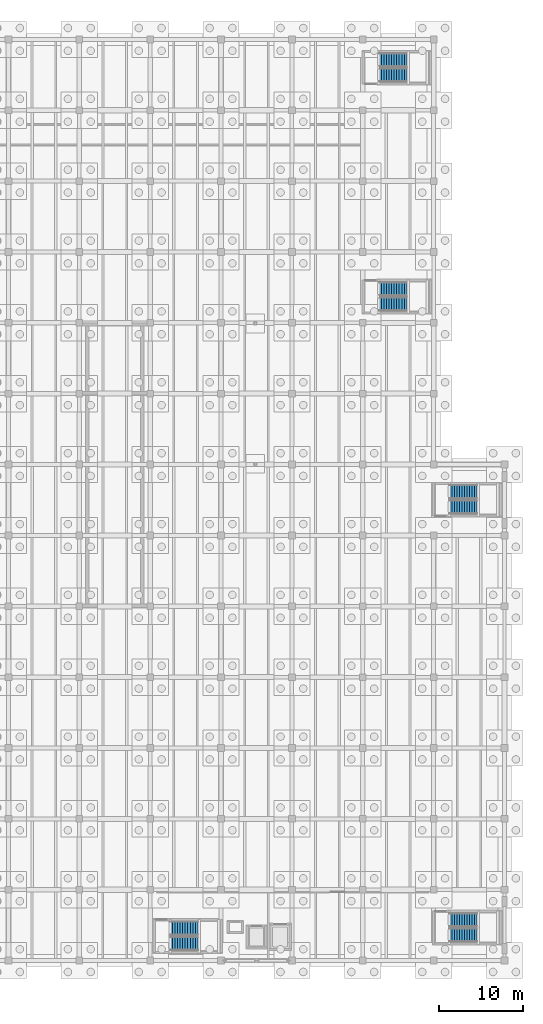
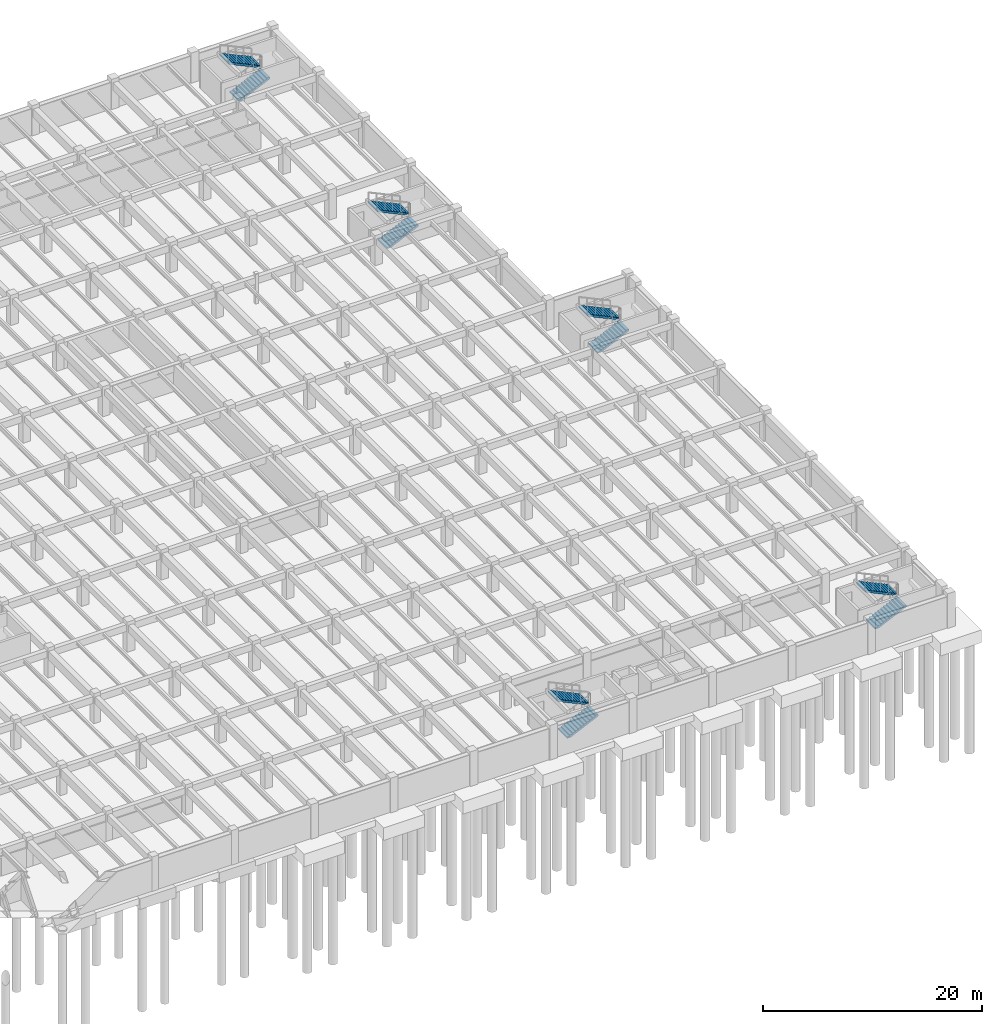
# One storey, part 54 of 70: 10 stair flights, 5 elements without a shape of their own.
"""IFC4 building model written with IfcOpenShell, lengths in metres."""

from ifc_helpers import new_model, si_unit, direction, frame, origin, place, context, subcontext, project, spatial, polyline, outline, extrude, material, type_object, element, aggregate, save


model = new_model("IFC4")

# Units and contexts
model_context = context("Model", 3, precision=1e-05, world=origin(), true_north=direction((0.0, 1.0)))
body_context = subcontext(model_context, "Body", "Model", "MODEL_VIEW")
ifc_project = project(units=[si_unit("LENGTHUNIT", "METRE"), si_unit("AREAUNIT", "SQUARE_METRE"), si_unit("VOLUMEUNIT", "CUBIC_METRE"), si_unit("PLANEANGLEUNIT", "RADIAN"), si_unit("MASSUNIT", "GRAM", prefix="KILO")], contexts=[model_context])

# Site, building, storey
site_placement = place(None, origin())
site = spatial("IfcSite", under=ifc_project, at=site_placement, CompositionType="ELEMENT")
building_placement = place(site_placement, origin())
building = spatial("IfcBuilding", under=site, at=building_placement, Name="Cumbredor Promenade Congress Hotel", CompositionType="ELEMENT")
storey_placement = place(building_placement, frame((0.0, 0.0, -7.56005859375)))
storey = spatial("IfcBuildingStorey", under=building, at=storey_placement, Name="B02", CompositionType="ELEMENT", Elevation=-7.56005859375)

# Stair, stair flights
ifc_material = material(Name="Concrete C40/50", Category="concrete")
stair_type = type_object("IfcStairType", Name="Protected Dog-Leg Exit Stair ST-T3 1650mm", PredefinedType="HALF_TURN_STAIR", material=ifc_material)
stair_1_placement = place(storey_placement, origin())
stair_1 = element("IfcStair", 1, at=stair_1_placement, inside=storey, type_object=stair_type, Name="B02 Protected Exit Stair ST-08", PredefinedType="HALF_TURN_STAIR")
stair_flight_type = type_object("IfcStairFlightType", Name="Concrete Stair Flight SFL-T3 1650mm", PredefinedType="STRAIGHT", material=ifc_material)
stair_flight_1_placement = place(storey_placement, frame((145.14990234375, 10.425048828125, 0.0), z_axis=(0.0, 0.0, 1.0), x_axis=(1.0, 0.0, 0.0)))
stair_flight_1 = element("IfcStairFlight", 2, at=stair_flight_1_placement, type_object=stair_flight_type, Name="ST-08 flight 1", NumberOfRisers=12, NumberOfTreads=11, PredefinedType="STRAIGHT", RiserHeight=0.14, TreadLength=0.3, context=body_context, shape_type="SweptSolid", body=[
    extrude(outline(polyline([(0.0, 0.0), (0.0, 0.139892578125), (0.300048828125, 0.139892578125), (0.300048828125, 0.280029296875), (0.60009765625, 0.280029296875), (0.60009765625, 0.419921875), (0.89990234375, 0.419921875), (0.89990234375, 0.56005859375), (1.199951171875, 0.56005859375), (1.199951171875, 0.699951171875), (1.5, 0.699951171875), (1.5, 0.840087890625), (1.800048828125, 0.840087890625), (1.800048828125, 0.97998046875), (2.10009765625, 0.97998046875), (2.10009765625, 1.1201171875), (2.39990234375, 1.1201171875), (2.39990234375, 1.260009765625), (2.699951171875, 1.260009765625), (2.699951171875, 1.39990234375), (3.0, 1.39990234375), (3.0, 1.5400390625), (3.300048828125, 1.5400390625), (3.300048828125, 1.679931640625), (3.300048828125, 1.341552734375), (0.425537109375, 0.0), (0.0, 0.0)])), frame((0.0, 0.824951171875, 0.0), z_axis=(0.0, -1.0, 0.0), x_axis=(1.0, 0.0, 0.0)), (0.0, 0.0, 1.0), 1.64990234375),
])
stair_flight_2_placement = place(storey_placement, frame((148.449951171875, 12.22509765625, 1.68017578125), z_axis=(0.0, 0.0, 1.0), x_axis=(-1.0, 0.0, 0.0)))
stair_flight_2 = element("IfcStairFlight", 3, at=stair_flight_2_placement, type_object=stair_flight_type, Name="ST-08 flight 2", NumberOfRisers=12, NumberOfTreads=11, PredefinedType="STRAIGHT", RiserHeight=0.14, TreadLength=0.3, context=body_context, shape_type="SweptSolid", body=[
    extrude(outline(polyline([(0.0, 0.0), (0.0, 0.139892578125), (0.300048828125, 0.139892578125), (0.300048828125, 0.280029296875), (0.60009765625, 0.280029296875), (0.60009765625, 0.419921875), (0.89990234375, 0.419921875), (0.89990234375, 0.56005859375), (1.199951171875, 0.56005859375), (1.199951171875, 0.699951171875), (1.5, 0.699951171875), (1.5, 0.840087890625), (1.800048828125, 0.840087890625), (1.800048828125, 0.97998046875), (2.10009765625, 0.97998046875), (2.10009765625, 1.1201171875), (2.39990234375, 1.1201171875), (2.39990234375, 1.260009765625), (2.699951171875, 1.260009765625), (2.699951171875, 1.39990234375), (3.0, 1.39990234375), (3.0, 1.5400390625), (3.300048828125, 1.5400390625), (3.300048828125, 1.679931640625), (3.300048828125, 1.341552734375), (0.425537109375, 0.0), (0.0, 0.0)])), frame((0.0, 0.824951171875, 0.0), z_axis=(0.0, -1.0, 0.0), x_axis=(1.0, 0.0, 0.0)), (0.0, 0.0, 1.0), 1.64990234375),
])
aggregate(stair_1, [stair_flight_1, stair_flight_2])

stair_2_placement = place(storey_placement, origin())
stair_2 = element("IfcStair", 4, at=stair_2_placement, inside=storey, type_object=stair_type, Name="B02 Protected Exit Stair ST-09", PredefinedType="HALF_TURN_STAIR")
stair_flight_3_placement = place(storey_placement, frame((178.25, 11.425048828125, 0.0), z_axis=(0.0, 0.0, 1.0), x_axis=(1.0, 0.0, 0.0)))
stair_flight_3 = element("IfcStairFlight", 5, at=stair_flight_3_placement, type_object=stair_flight_type, Name="ST-09 flight 1", NumberOfRisers=12, NumberOfTreads=11, PredefinedType="STRAIGHT", RiserHeight=0.14, TreadLength=0.3, context=body_context, shape_type="SweptSolid", body=[
    extrude(outline(polyline([(0.0, 0.0), (0.0, 0.139892578125), (0.300048828125, 0.139892578125), (0.300048828125, 0.280029296875), (0.60009765625, 0.280029296875), (0.60009765625, 0.419921875), (0.89990234375, 0.419921875), (0.89990234375, 0.56005859375), (1.199951171875, 0.56005859375), (1.199951171875, 0.699951171875), (1.5, 0.699951171875), (1.5, 0.840087890625), (1.800048828125, 0.840087890625), (1.800048828125, 0.97998046875), (2.10009765625, 0.97998046875), (2.10009765625, 1.1201171875), (2.39990234375, 1.1201171875), (2.39990234375, 1.260009765625), (2.699951171875, 1.260009765625), (2.699951171875, 1.39990234375), (3.0, 1.39990234375), (3.0, 1.5400390625), (3.300048828125, 1.5400390625), (3.300048828125, 1.679931640625), (3.300048828125, 1.341552734375), (0.425537109375, 0.0), (0.0, 0.0)])), frame((0.0, 0.824951171875, 0.0), z_axis=(0.0, -1.0, 0.0), x_axis=(1.0, 0.0, 0.0)), (0.0, 0.0, 1.0), 1.64990234375),
])
stair_flight_4_placement = place(storey_placement, frame((181.550048828125, 13.22509765625, 1.68017578125), z_axis=(0.0, 0.0, 1.0), x_axis=(-1.0, 0.0, 0.0)))
stair_flight_4 = element("IfcStairFlight", 6, at=stair_flight_4_placement, type_object=stair_flight_type, Name="ST-09 flight 2", NumberOfRisers=12, NumberOfTreads=11, PredefinedType="STRAIGHT", RiserHeight=0.14, TreadLength=0.3, context=body_context, shape_type="SweptSolid", body=[
    extrude(outline(polyline([(0.0, 0.0), (0.0, 0.139892578125), (0.300048828125, 0.139892578125), (0.300048828125, 0.280029296875), (0.60009765625, 0.280029296875), (0.60009765625, 0.419921875), (0.89990234375, 0.419921875), (0.89990234375, 0.56005859375), (1.199951171875, 0.56005859375), (1.199951171875, 0.699951171875), (1.5, 0.699951171875), (1.5, 0.840087890625), (1.800048828125, 0.840087890625), (1.800048828125, 0.97998046875), (2.10009765625, 0.97998046875), (2.10009765625, 1.1201171875), (2.39990234375, 1.1201171875), (2.39990234375, 1.260009765625), (2.699951171875, 1.260009765625), (2.699951171875, 1.39990234375), (3.0, 1.39990234375), (3.0, 1.5400390625), (3.300048828125, 1.5400390625), (3.300048828125, 1.679931640625), (3.300048828125, 1.341552734375), (0.425537109375, 0.0), (0.0, 0.0)])), frame((0.0, 0.824951171875, 0.0), z_axis=(0.0, -1.0, 0.0), x_axis=(1.0, 0.0, 0.0)), (0.0, 0.0, 1.0), 1.64990234375),
])
aggregate(stair_2, [stair_flight_3, stair_flight_4])

stair_3_placement = place(storey_placement, origin())
stair_3 = element("IfcStair", 7, at=stair_3_placement, inside=storey, type_object=stair_type, Name="B02 Protected Exit Stair ST-10", PredefinedType="HALF_TURN_STAIR")
stair_flight_5_placement = place(storey_placement, frame((178.25, 62.175048828125, 0.0), z_axis=(0.0, 0.0, 1.0), x_axis=(1.0, 0.0, 0.0)))
stair_flight_5 = element("IfcStairFlight", 8, at=stair_flight_5_placement, type_object=stair_flight_type, Name="ST-10 flight 1", NumberOfRisers=12, NumberOfTreads=11, PredefinedType="STRAIGHT", RiserHeight=0.14, TreadLength=0.3, context=body_context, shape_type="SweptSolid", body=[
    extrude(outline(polyline([(0.0, 0.0), (0.0, 0.139892578125), (0.300048828125, 0.139892578125), (0.300048828125, 0.280029296875), (0.60009765625, 0.280029296875), (0.60009765625, 0.419921875), (0.89990234375, 0.419921875), (0.89990234375, 0.56005859375), (1.199951171875, 0.56005859375), (1.199951171875, 0.699951171875), (1.5, 0.699951171875), (1.5, 0.840087890625), (1.800048828125, 0.840087890625), (1.800048828125, 0.97998046875), (2.10009765625, 0.97998046875), (2.10009765625, 1.1201171875), (2.39990234375, 1.1201171875), (2.39990234375, 1.260009765625), (2.699951171875, 1.260009765625), (2.699951171875, 1.39990234375), (3.0, 1.39990234375), (3.0, 1.5400390625), (3.300048828125, 1.5400390625), (3.300048828125, 1.679931640625), (3.300048828125, 1.341552734375), (0.425537109375, 0.0), (0.0, 0.0)])), frame((0.0, 0.824951171875, 0.0), z_axis=(0.0, -1.0, 0.0), x_axis=(1.0, 0.0, 0.0)), (0.0, 0.0, 1.0), 1.64990234375),
])
stair_flight_6_placement = place(storey_placement, frame((181.550048828125, 63.97509765625, 1.68017578125), z_axis=(0.0, 0.0, 1.0), x_axis=(-1.0, 0.0, 0.0)))
stair_flight_6 = element("IfcStairFlight", 9, at=stair_flight_6_placement, type_object=stair_flight_type, Name="ST-10 flight 2", NumberOfRisers=12, NumberOfTreads=11, PredefinedType="STRAIGHT", RiserHeight=0.14, TreadLength=0.3, context=body_context, shape_type="SweptSolid", body=[
    extrude(outline(polyline([(0.0, 0.0), (0.0, 0.139892578125), (0.300048828125, 0.139892578125), (0.300048828125, 0.280029296875), (0.60009765625, 0.280029296875), (0.60009765625, 0.419921875), (0.89990234375, 0.419921875), (0.89990234375, 0.56005859375), (1.199951171875, 0.56005859375), (1.199951171875, 0.699951171875), (1.5, 0.699951171875), (1.5, 0.840087890625), (1.800048828125, 0.840087890625), (1.800048828125, 0.97998046875), (2.10009765625, 0.97998046875), (2.10009765625, 1.1201171875), (2.39990234375, 1.1201171875), (2.39990234375, 1.260009765625), (2.699951171875, 1.260009765625), (2.699951171875, 1.39990234375), (3.0, 1.39990234375), (3.0, 1.5400390625), (3.300048828125, 1.5400390625), (3.300048828125, 1.679931640625), (3.300048828125, 1.341552734375), (0.425537109375, 0.0), (0.0, 0.0)])), frame((0.0, 0.824951171875, 0.0), z_axis=(0.0, -1.0, 0.0), x_axis=(1.0, 0.0, 0.0)), (0.0, 0.0, 1.0), 1.64990234375),
])
aggregate(stair_3, [stair_flight_5, stair_flight_6])

stair_4_placement = place(storey_placement, origin())
stair_4 = element("IfcStair", 10, at=stair_4_placement, inside=storey, type_object=stair_type, Name="B02 Protected Exit Stair ST-14", PredefinedType="HALF_TURN_STAIR")
stair_flight_7_placement = place(storey_placement, frame((169.919921875, 86.22509765625, 0.0), z_axis=(0.0, 0.0, 1.0), x_axis=(1.0, 0.0, 0.0)))
stair_flight_7 = element("IfcStairFlight", 11, at=stair_flight_7_placement, type_object=stair_flight_type, Name="ST-14 flight 1", NumberOfRisers=12, NumberOfTreads=11, PredefinedType="STRAIGHT", RiserHeight=0.14, TreadLength=0.3, context=body_context, shape_type="SweptSolid", body=[
    extrude(outline(polyline([(0.0, 0.0), (0.0, 0.139892578125), (0.300048828125, 0.139892578125), (0.300048828125, 0.280029296875), (0.60009765625, 0.280029296875), (0.60009765625, 0.419921875), (0.89990234375, 0.419921875), (0.89990234375, 0.56005859375), (1.199951171875, 0.56005859375), (1.199951171875, 0.699951171875), (1.5, 0.699951171875), (1.5, 0.840087890625), (1.800048828125, 0.840087890625), (1.800048828125, 0.97998046875), (2.10009765625, 0.97998046875), (2.10009765625, 1.1201171875), (2.39990234375, 1.1201171875), (2.39990234375, 1.260009765625), (2.699951171875, 1.260009765625), (2.699951171875, 1.39990234375), (3.0, 1.39990234375), (3.0, 1.5400390625), (3.300048828125, 1.5400390625), (3.300048828125, 1.679931640625), (3.300048828125, 1.341552734375), (0.425537109375, 0.0), (0.0, 0.0)])), frame((0.0, 0.824951171875, 0.0), z_axis=(0.0, -1.0, 0.0), x_axis=(1.0, 0.0, 0.0)), (0.0, 0.0, 1.0), 1.64990234375),
])
stair_flight_8_placement = place(storey_placement, frame((173.219970703125, 88.02490234375, 1.68017578125), z_axis=(0.0, 0.0, 1.0), x_axis=(-1.0, 0.0, 0.0)))
stair_flight_8 = element("IfcStairFlight", 12, at=stair_flight_8_placement, type_object=stair_flight_type, Name="ST-14 flight 2", NumberOfRisers=12, NumberOfTreads=11, PredefinedType="STRAIGHT", RiserHeight=0.14, TreadLength=0.3, context=body_context, shape_type="SweptSolid", body=[
    extrude(outline(polyline([(0.0, 0.0), (0.0, 0.139892578125), (0.300048828125, 0.139892578125), (0.300048828125, 0.280029296875), (0.60009765625, 0.280029296875), (0.60009765625, 0.419921875), (0.89990234375, 0.419921875), (0.89990234375, 0.56005859375), (1.199951171875, 0.56005859375), (1.199951171875, 0.699951171875), (1.5, 0.699951171875), (1.5, 0.840087890625), (1.800048828125, 0.840087890625), (1.800048828125, 0.97998046875), (2.10009765625, 0.97998046875), (2.10009765625, 1.1201171875), (2.39990234375, 1.1201171875), (2.39990234375, 1.260009765625), (2.699951171875, 1.260009765625), (2.699951171875, 1.39990234375), (3.0, 1.39990234375), (3.0, 1.5400390625), (3.300048828125, 1.5400390625), (3.300048828125, 1.679931640625), (3.300048828125, 1.341552734375), (0.425537109375, 0.0), (0.0, 0.0)])), frame((0.0, 0.824951171875, 0.0), z_axis=(0.0, -1.0, 0.0), x_axis=(1.0, 0.0, 0.0)), (0.0, 0.0, 1.0), 1.64990234375),
])
aggregate(stair_4, [stair_flight_7, stair_flight_8])

stair_5_placement = place(storey_placement, origin())
stair_5 = element("IfcStair", 13, at=stair_5_placement, inside=storey, type_object=stair_type, Name="B02 Protected Exit Stair ST-16", PredefinedType="HALF_TURN_STAIR")
stair_flight_9_placement = place(storey_placement, frame((169.919921875, 113.375, 0.0), z_axis=(0.0, 0.0, 1.0), x_axis=(1.0, 0.0, 0.0)))
stair_flight_9 = element("IfcStairFlight", 14, at=stair_flight_9_placement, type_object=stair_flight_type, Name="ST-16 flight 1", NumberOfRisers=12, NumberOfTreads=11, PredefinedType="STRAIGHT", RiserHeight=0.14, TreadLength=0.3, context=body_context, shape_type="SweptSolid", body=[
    extrude(outline(polyline([(0.0, 0.0), (0.0, 0.139892578125), (0.300048828125, 0.139892578125), (0.300048828125, 0.280029296875), (0.60009765625, 0.280029296875), (0.60009765625, 0.419921875), (0.89990234375, 0.419921875), (0.89990234375, 0.56005859375), (1.199951171875, 0.56005859375), (1.199951171875, 0.699951171875), (1.5, 0.699951171875), (1.5, 0.840087890625), (1.800048828125, 0.840087890625), (1.800048828125, 0.97998046875), (2.10009765625, 0.97998046875), (2.10009765625, 1.1201171875), (2.39990234375, 1.1201171875), (2.39990234375, 1.260009765625), (2.699951171875, 1.260009765625), (2.699951171875, 1.39990234375), (3.0, 1.39990234375), (3.0, 1.5400390625), (3.300048828125, 1.5400390625), (3.300048828125, 1.679931640625), (3.300048828125, 1.341552734375), (0.425537109375, 0.0), (0.0, 0.0)])), frame((0.0, 0.824951171875, 0.0), z_axis=(0.0, -1.0, 0.0), x_axis=(1.0, 0.0, 0.0)), (0.0, 0.0, 1.0), 1.64990234375),
])
stair_flight_10_placement = place(storey_placement, frame((173.219970703125, 115.175048828125, 1.68017578125), z_axis=(0.0, 0.0, 1.0), x_axis=(-1.0, 0.0, 0.0)))
stair_flight_10 = element("IfcStairFlight", 15, at=stair_flight_10_placement, type_object=stair_flight_type, Name="ST-16 flight 2", NumberOfRisers=12, NumberOfTreads=11, PredefinedType="STRAIGHT", RiserHeight=0.14, TreadLength=0.3, context=body_context, shape_type="SweptSolid", body=[
    extrude(outline(polyline([(0.0, 0.0), (0.0, 0.139892578125), (0.300048828125, 0.139892578125), (0.300048828125, 0.280029296875), (0.60009765625, 0.280029296875), (0.60009765625, 0.419921875), (0.89990234375, 0.419921875), (0.89990234375, 0.56005859375), (1.199951171875, 0.56005859375), (1.199951171875, 0.699951171875), (1.5, 0.699951171875), (1.5, 0.840087890625), (1.800048828125, 0.840087890625), (1.800048828125, 0.97998046875), (2.10009765625, 0.97998046875), (2.10009765625, 1.1201171875), (2.39990234375, 1.1201171875), (2.39990234375, 1.260009765625), (2.699951171875, 1.260009765625), (2.699951171875, 1.39990234375), (3.0, 1.39990234375), (3.0, 1.5400390625), (3.300048828125, 1.5400390625), (3.300048828125, 1.679931640625), (3.300048828125, 1.341552734375), (0.425537109375, 0.0), (0.0, 0.0)])), frame((0.0, 0.824951171875, 0.0), z_axis=(0.0, -1.0, 0.0), x_axis=(1.0, 0.0, 0.0)), (0.0, 0.0, 1.0), 1.64990234375),
])
aggregate(stair_5, [stair_flight_9, stair_flight_10])

save(model, "model.ifc")
